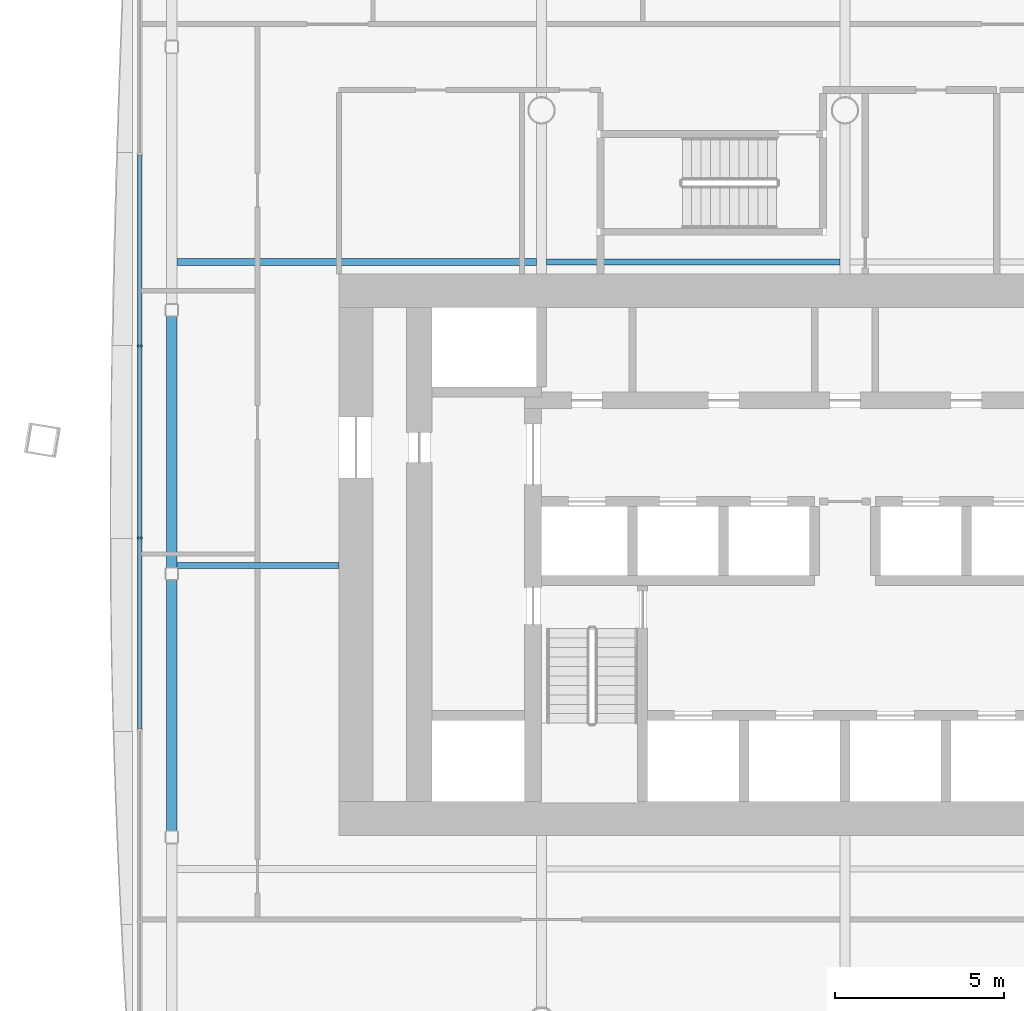
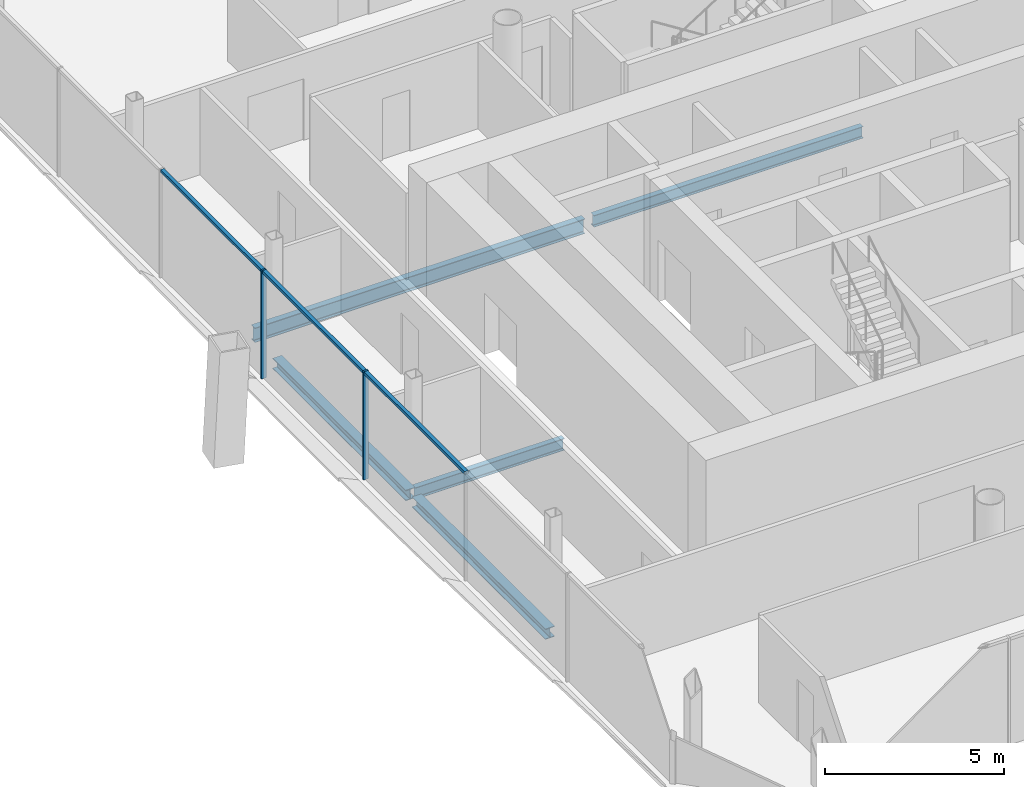
# One storey, part 4 of 19: 5 beams, 5 members, 1 element without a shape of its own.
"""IFC4 building model written with IfcOpenShell, lengths in metres."""

from ifc_helpers import new_model, si_unit, direction, frame, origin, origin_2d, place, context, subcontext, project, spatial, rectangle, i_section, extrude, material, material_profile, profile_set, type_object, element, aggregate, save


model = new_model("IFC4")

# Units and contexts
model_context = context("Model", 3, precision=1e-05, world=origin(), true_north=direction((0.0, 1.0)))
body_context = subcontext(model_context, "Body", "Model", "MODEL_VIEW")
ifc_project = project(units=[si_unit("LENGTHUNIT", "METRE"), si_unit("AREAUNIT", "SQUARE_METRE"), si_unit("VOLUMEUNIT", "CUBIC_METRE"), si_unit("PLANEANGLEUNIT", "RADIAN"), si_unit("MASSUNIT", "GRAM", prefix="KILO")], contexts=[model_context])

# Site, building, storey
site_placement = place(None, origin())
site = spatial("IfcSite", under=ifc_project, at=site_placement, CompositionType="ELEMENT")
building_placement = place(site_placement, origin())
building = spatial("IfcBuilding", under=site, at=building_placement, Name="Tskaro Facet Tower", CompositionType="ELEMENT")
storey_placement = place(building_placement, frame((0.0, 0.0, 101.10009765625)))
storey = spatial("IfcBuildingStorey", under=building, at=storey_placement, Name="L24", CompositionType="ELEMENT", Elevation=101.10009765625)

# Curtain wall, members
ifc_material_1 = material(Name="Bronze anodised aluminium 6063-T6", Category="aluminium")
curtain_wall_type = type_object("IfcCurtainWallType", Name="Bronze office curtain wall (FW1)", PredefinedType="NOTDEFINED", material=ifc_material_1)
curtain_wall_placement = place(storey_placement, origin())
curtain_wall = element("IfcCurtainWall", 1, at=curtain_wall_placement, inside=storey, type_object=curtain_wall_type, Name="FW1 west facet L24", PredefinedType="NOTDEFINED")
ifc_material_profile_1 = material_profile(ifc_material_1, rectangle(XDim=0.06005859375, YDim=0.159912109375, at=origin_2d()), Name="Mullion 60x160")
ifc_profile_set_1 = profile_set([ifc_material_profile_1], Name="Bronze anodised aluminium 6063-T6")
member_type_1 = type_object("IfcMemberType", Name="FW1 bronze mullion 60x160", PredefinedType="MULLION", material=ifc_profile_set_1)
member_1_placement = place(storey_placement, frame((-20.9150390625, 2.0087890625, 0.0), z_axis=(0.0, 0.0, 1.0), x_axis=(0.0, -1.0, 0.0)))
member_1 = element("IfcMember", 2, at=member_1_placement, type_object=member_type_1, Name="FW1 west mullion 3", PredefinedType="MULLION", context=body_context, shape_type="SweptSolid", body=[
    extrude(rectangle(XDim=0.06005859375, YDim=0.159912109375, at=origin_2d()), origin(), (0.0, 0.0, 1.0), 3.699951171875),
])
member_2_placement = place(storey_placement, frame((-20.9150390625, -3.6826171875, 0.0), z_axis=(0.0, 0.0, 1.0), x_axis=(0.0, -1.0, 0.0)))
member_2 = element("IfcMember", 3, at=member_2_placement, type_object=member_type_1, Name="FW1 west mullion 4", PredefinedType="MULLION", context=body_context, shape_type="SweptSolid", body=[
    extrude(rectangle(XDim=0.06005859375, YDim=0.159912109375, at=origin_2d()), origin(), (0.0, 0.0, 1.0), 3.699951171875),
])
ifc_material_profile_2 = material_profile(ifc_material_1, rectangle(XDim=0.1201171875, YDim=0.10009765625, at=origin_2d()), Name="Transom 120x100")
ifc_profile_set_2 = profile_set([ifc_material_profile_2], Name="Bronze anodised aluminium 6063-T6")
member_type_2 = type_object("IfcMemberType", Name="FW1 bronze transom 120x100", PredefinedType="USERDEFINED", material=ifc_profile_set_2)
member_3_placement = place(storey_placement, frame((-20.9150390625, 7.670166015625, 3.64990234375), z_axis=(0.0, -1.0, 0.0), x_axis=(1.0, 0.0, 0.0)))
member_3 = element("IfcMember", 4, at=member_3_placement, type_object=member_type_2, Name="FW1 west transom 3.1", ObjectType="TRANSOM", PredefinedType="USERDEFINED", context=body_context, shape_type="SweptSolid", body=[
    extrude(rectangle(XDim=0.1201171875, YDim=0.10009765625, at=origin_2d()), origin(), (0.0, 0.0, 1.0), 5.63134765625),
])
member_4_placement = place(storey_placement, frame((-20.9150390625, 1.978759765625, 3.64990234375), z_axis=(0.0, -1.0, 0.0), x_axis=(1.0, 0.0, 0.0)))
member_4 = element("IfcMember", 5, at=member_4_placement, type_object=member_type_2, Name="FW1 west transom 4.1", ObjectType="TRANSOM", PredefinedType="USERDEFINED", context=body_context, shape_type="SweptSolid", body=[
    extrude(rectangle(XDim=0.1201171875, YDim=0.10009765625, at=origin_2d()), origin(), (0.0, 0.0, 1.0), 5.631591796875),
])
member_5_placement = place(storey_placement, frame((-20.9150390625, -3.712646484375, 3.64990234375), z_axis=(0.0, -1.0, 0.0), x_axis=(1.0, 0.0, 0.0)))
member_5 = element("IfcMember", 6, at=member_5_placement, type_object=member_type_2, Name="FW1 west transom 5.1", ObjectType="TRANSOM", PredefinedType="USERDEFINED", context=body_context, shape_type="SweptSolid", body=[
    extrude(rectangle(XDim=0.1201171875, YDim=0.10009765625, at=origin_2d()), origin(), (0.0, 0.0, 1.0), 5.631591796875),
])
aggregate(curtain_wall, [member_1, member_2, member_3, member_4, member_5])

# Beams
ifc_material_2 = material(Name="Steel S355J2", Category="steel")
ifc_material_profile_3 = material_profile(ifc_material_2, i_section(OverallWidth=0.300048828125, OverallDepth=0.360107421875, WebThickness=0.012451171875, FlangeThickness=0.0224609375, FilletRadius=0.027099609375, at=origin_2d()), Name="HE 360 B")
ifc_profile_set_3 = profile_set([ifc_material_profile_3], Name="Steel S355J2")
beam_type_1 = type_object("IfcBeamType", Name="HE 360 B ring beam", PredefinedType="BEAM", material=ifc_profile_set_3)
beam_1_placement = place(storey_placement, frame((-19.965087890625, 2.887939453125, -0.320068359375), z_axis=(0.0, -1.0, 0.0), x_axis=(1.0, 0.0, 0.0)))
element("IfcBeam", 7, at=beam_1_placement, inside=storey, type_object=beam_type_1, Name="HE 360 B EB21-2", PredefinedType="BEAM", context=body_context, shape_type="SweptSolid", body=[
    extrude(i_section(OverallWidth=0.300048828125, OverallDepth=0.360107421875, WebThickness=0.012451171875, FlangeThickness=0.0224609375, FilletRadius=0.027099609375, at=origin_2d()), origin(), (0.0, 0.0, 1.0), 7.449951171875),
])
beam_2_placement = place(storey_placement, frame((-19.965087890625, -4.922119140625, -0.320068359375), z_axis=(0.0, -1.0, 0.0), x_axis=(1.0, 0.0, 0.0)))
element("IfcBeam", 8, at=beam_2_placement, inside=storey, type_object=beam_type_1, Name="HE 360 B EB22-2", PredefinedType="BEAM", context=body_context, shape_type="SweptSolid", body=[
    extrude(i_section(OverallWidth=0.300048828125, OverallDepth=0.360107421875, WebThickness=0.012451171875, FlangeThickness=0.0224609375, FilletRadius=0.027099609375, at=origin_2d()), origin(), (0.0, 0.0, 1.0), 7.450927734375),
])
ifc_material_profile_4 = material_profile(ifc_material_2, i_section(OverallWidth=0.179931640625, OverallDepth=0.39990234375, WebThickness=0.008544921875, FlangeThickness=0.013427734375, FilletRadius=0.02099609375, at=origin_2d()), Name="IPE 400")
ifc_profile_set_4 = profile_set([ifc_material_profile_4], Name="Steel S355J2")
beam_type_2 = type_object("IfcBeamType", Name="IPE 400 secondary beam", PredefinedType="BEAM", material=ifc_profile_set_4)
beam_3_placement = place(storey_placement, frame((-19.81494140625, -4.5, -0.340087890625), z_axis=(1.0, 0.0, 0.0), x_axis=(0.0, 1.0, 0.0)))
element("IfcBeam", 9, at=beam_3_placement, inside=storey, type_object=beam_type_2, Name="IPE 400 SB3a-1-2", PredefinedType="BEAM", context=body_context, shape_type="SweptSolid", body=[
    extrude(i_section(OverallWidth=0.179931640625, OverallDepth=0.39990234375, WebThickness=0.008544921875, FlangeThickness=0.013427734375, FilletRadius=0.02099609375, at=origin_2d()), origin(), (0.0, 0.0, 1.0), 4.81494140625),
])
beam_4_placement = place(storey_placement, frame((-8.85009765625, 4.5, -0.340087890625), z_axis=(1.0, 0.0, 0.0), x_axis=(0.0, 1.0, 0.0)))
element("IfcBeam", 10, at=beam_4_placement, inside=storey, type_object=beam_type_2, Name="IPE 400 SB4a-2-2", PredefinedType="BEAM", context=body_context, shape_type="SweptSolid", body=[
    extrude(i_section(OverallWidth=0.179931640625, OverallDepth=0.39990234375, WebThickness=0.008544921875, FlangeThickness=0.013427734375, FilletRadius=0.02099609375, at=origin_2d()), origin(), (0.0, 0.0, 1.0), 8.7001953125),
])
ifc_material_profile_5 = material_profile(ifc_material_2, i_section(OverallWidth=0.199951171875, OverallDepth=0.5, WebThickness=0.01025390625, FlangeThickness=0.01611328125, FilletRadius=0.02099609375, at=origin_2d()), Name="IPE 500")
ifc_profile_set_5 = profile_set([ifc_material_profile_5], Name="Steel S355J2")
beam_type_3 = type_object("IfcBeamType", Name="IPE 500 long secondary beam", PredefinedType="BEAM", material=ifc_profile_set_5)
beam_5_placement = place(storey_placement, frame((-19.81494140625, 4.5, -0.39013671875), z_axis=(1.0, 0.0, 0.0), x_axis=(0.0, 1.0, 0.0)))
element("IfcBeam", 11, at=beam_5_placement, inside=storey, type_object=beam_type_3, Name="IPE 500 LSB4a-1-2", PredefinedType="BEAM", context=body_context, shape_type="SweptSolid", body=[
    extrude(i_section(OverallWidth=0.199951171875, OverallDepth=0.5, WebThickness=0.01025390625, FlangeThickness=0.01611328125, FilletRadius=0.02099609375, at=origin_2d()), origin(), (0.0, 0.0, 1.0), 10.6650390625),
])

save(model, "model.ifc")
